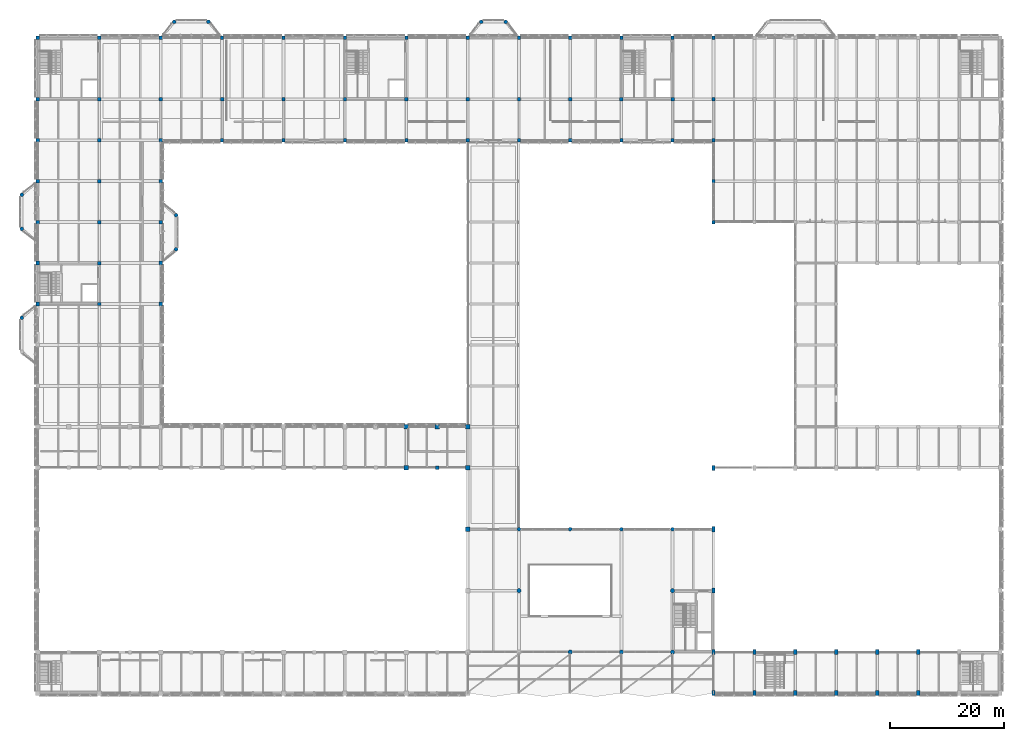
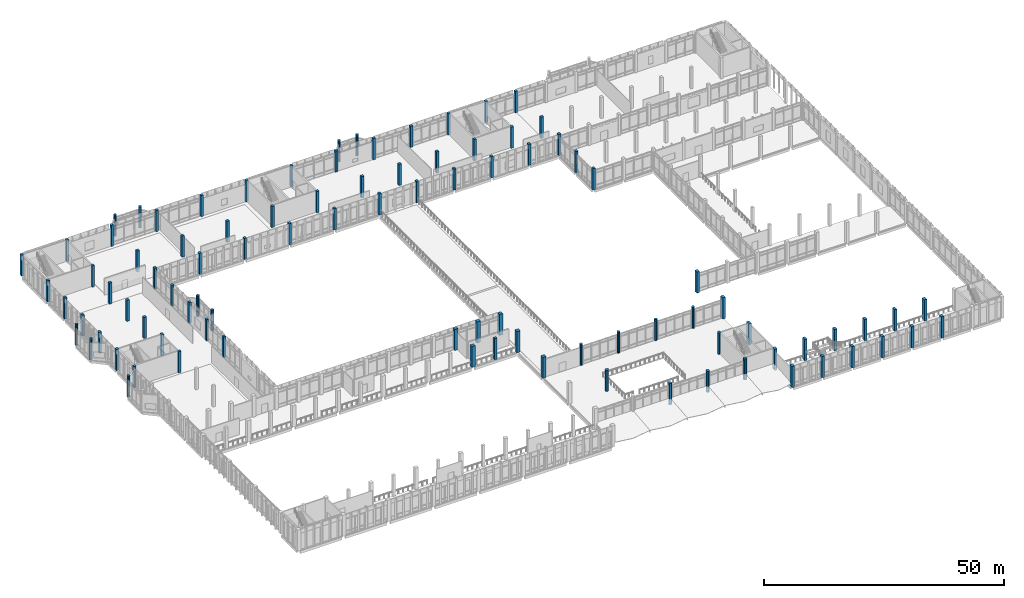
# One storey, part 6 of 180: 93 columns.
"""IFC4 building model written with IfcOpenShell, lengths in metres."""

from ifc_helpers import new_model, si_unit, direction, frame, origin, origin_2d, place, context, subcontext, project, spatial, rectangle, circle, extrude, material, material_profile, profile_set, type_object, element, save


model = new_model("IFC4")

# Units and contexts
model_context = context("Model", 3, precision=1e-05, world=origin(), true_north=direction((0.0, 1.0)))
body_context = subcontext(model_context, "Body", "Model", "MODEL_VIEW")
ifc_project = project(units=[si_unit("LENGTHUNIT", "METRE"), si_unit("AREAUNIT", "SQUARE_METRE"), si_unit("VOLUMEUNIT", "CUBIC_METRE"), si_unit("PLANEANGLEUNIT", "RADIAN"), si_unit("MASSUNIT", "GRAM", prefix="KILO")], contexts=[model_context])

# Site, building, storey
site_placement = place(None, origin())
site = spatial("IfcSite", under=ifc_project, at=site_placement, CompositionType="ELEMENT")
building_placement = place(site_placement, origin())
building = spatial("IfcBuilding", under=site, at=building_placement, Name="Lusvemor Sports Hall", CompositionType="ELEMENT")
storey_placement = place(building_placement, frame((0.0, 0.0, 5.39990234375)))
storey = spatial("IfcBuildingStorey", under=building, at=storey_placement, Name="L01", CompositionType="ELEMENT", Elevation=5.39990234375)

# Columns
ifc_material_1 = material(Name="Concrete C40/50", Category="concrete")
ifc_material_profile_1 = material_profile(ifc_material_1, circle(Radius=0.324951171875, at=origin_2d()), Name="RCCIRC650")
ifc_profile_set_1 = profile_set([ifc_material_profile_1], Name="Concrete C40/50")
column_type_1 = type_object("IfcColumnType", Name="COL_COLONNADE", PredefinedType="COLUMN", material=ifc_profile_set_1)
for number, where, z_axis, x_axis, name in (
    (1, (84.60009765625, 28.800048828125, 0.0), (0.0, 0.0, 1.0), (1.0, 0.0, 0.0), "Column 9/D (L01)"),
    (2, (93.60009765625, 28.800048828125, 0.0), (0.0, 0.0, 1.0), (1.0, 0.0, 0.0), "Column 10/D (L01)"),
    (3, (102.60009765625, 28.800048828125, 0.0), (0.0, 0.0, 1.0), (1.0, 0.0, 0.0), "Column 11/D (L01)"),
    (4, (111.60009765625, 28.800048828125, 0.0), (0.0, 0.0, 1.0), (1.0, 0.0, 0.0), "Column 12/D (L01)"),
    (5, (-2.800048828125, 66.0, 0.0), (0.0, 0.0, 1.0), (1.0, 0.0, 0.0), "Art Nouveau Bow Column BOW-W1-2 (L01)"),
    (6, (-2.800048828125, 81.60009765625, 0.0), (0.0, 0.0, 1.0), (1.0, 0.0, 0.0), "Art Nouveau Bow Column BOW-W2-1 (L01)"),
    (7, (-2.800048828125, 87.60009765625, 0.0), (0.0, 0.0, 1.0), (1.0, 0.0, 0.0), "Art Nouveau Bow Column BOW-W2-2 (L01)"),
    (8, (24.0, 118.0, 0.0), (0.0, 0.0, 1.0), (1.0, 0.0, 0.0), "Art Nouveau Bow Column BOW-N1-1 (L01)"),
    (9, (30.0, 118.0, 0.0), (0.0, 0.0, 1.0), (1.0, 0.0, 0.0), "Art Nouveau Bow Column BOW-N1-2 (L01)"),
    (10, (77.93994140625, 118.0, 0.0), (0.0, 0.0, 1.0), (1.0, 0.0, 0.0), "Art Nouveau Bow Column BOW-N2-1 (L01)"),
    (11, (82.260009765625, 118.0, 0.0), (0.0, 0.0, 1.0), (1.0, 0.0, 0.0), "Art Nouveau Bow Column BOW-N2-2 (L01)"),
    (12, (24.300048828125, 84.0, 0.0), (0.0, 0.0, 1.0), (1.0, 0.0, 0.0), "Art Nouveau Bow Column BOW-CT-1 (L01)"),
    (13, (24.300048828125, 78.0, 0.0), (0.0, 0.0, 1.0), (1.0, 0.0, 0.0), "Art Nouveau Bow Column BOW-CT-2 (L01)"),
):
    element("IfcColumn", number, at=place(storey_placement, frame(where, z_axis=z_axis, x_axis=x_axis)), inside=storey, type_object=column_type_1, Name=name, PredefinedType="COLUMN", context=body_context, shape_type="SweptSolid", body=[
        extrude(circle(Radius=0.324951171875, at=origin_2d()), origin(), (0.0, 0.0, 1.0), 5.400146484375),
    ])
ifc_material_2 = material(Name="Concrete C40/50", Category="concrete")
ifc_material_profile_2 = material_profile(ifc_material_2, circle(Radius=0.375, at=origin_2d()), Name="RCCIRC750")
ifc_profile_set_2 = profile_set([ifc_material_profile_2], Name="Concrete C40/50")
column_type_2 = type_object("IfcColumnType", Name="COL_FOYER_R", PredefinedType="COLUMN", material=ifc_profile_set_2)
for number, where, z_axis, x_axis, name in (
    (14, (84.60009765625, 18.0, 0.0), (0.0, 0.0, 1.0), (1.0, 0.0, 0.0), "Column 9/C (L01)"),
    (15, (93.60009765625, 7.199951171875, 0.0), (0.0, 0.0, 1.0), (1.0, 0.0, 0.0), "Column 10/B (L01)"),
    (16, (102.60009765625, 7.199951171875, 0.0), (0.0, 0.0, 1.0), (1.0, 0.0, 0.0), "Column 11/B (L01)"),
    (17, (111.60009765625, 7.199951171875, 0.0), (0.0, 0.0, 1.0), (1.0, 0.0, 0.0), "Column 12/B (L01)"),
    (18, (111.60009765625, 18.0, 0.0), (0.0, 0.0, 1.0), (1.0, 0.0, 0.0), "Column 12/C (L01)"),
):
    element("IfcColumn", number, at=place(storey_placement, frame(where, z_axis=z_axis, x_axis=x_axis)), inside=storey, type_object=column_type_2, Name=name, PredefinedType="COLUMN", context=body_context, shape_type="SweptSolid", body=[
        extrude(circle(Radius=0.375, at=origin_2d()), origin(), (0.0, 0.0, 1.0), 5.400146484375),
    ])
ifc_material_3 = material(Name="Concrete C40/50", Category="concrete")
ifc_material_profile_3 = material_profile(ifc_material_3, rectangle(XDim=0.800048828125, YDim=0.800048828125, at=origin_2d()), Name="RC800x800")
ifc_profile_set_3 = profile_set([ifc_material_profile_3], Name="Concrete C40/50")
column_type_3 = type_object("IfcColumnType", Name="COL_HALL_W", PredefinedType="COLUMN", material=ifc_profile_set_3)
for number, where, z_axis, x_axis, name in (
    (19, (64.800048828125, 39.60009765625, 0.0), (0.0, 0.0, 1.0), (1.0, 0.0, 0.0), "Column 7/E (L01)"),
    (20, (64.800048828125, 46.800048828125, 0.0), (0.0, 0.0, 1.0), (1.0, 0.0, 0.0), "Column 7/F (L01)"),
    (21, (75.60009765625, 28.800048828125, 0.0), (0.0, 0.0, 1.0), (1.0, 0.0, 0.0), "Column 8/D (L01)"),
    (22, (75.60009765625, 39.60009765625, 0.0), (0.0, 0.0, 1.0), (1.0, 0.0, 0.0), "Column 8/E (L01)"),
    (23, (75.60009765625, 46.800048828125, 0.0), (0.0, 0.0, 1.0), (1.0, 0.0, 0.0), "Column 8/F (L01)"),
    (24, (70.199951171875, 46.800048828125, 0.0), (0.0, 0.0, 1.0), (1.0, 0.0, 0.0), "Wave North Eave Column N7 (L01)"),
):
    element("IfcColumn", number, at=place(storey_placement, frame(where, z_axis=z_axis, x_axis=x_axis)), inside=storey, type_object=column_type_3, Name=name, PredefinedType="COLUMN", context=body_context, shape_type="SweptSolid", body=[
        extrude(rectangle(XDim=0.800048828125, YDim=0.800048828125, at=origin_2d()), origin(), (0.0, 0.0, 1.0), 5.400146484375),
    ])
ifc_material_4 = material(Name="Concrete C40/50", Category="concrete")
ifc_material_profile_4 = material_profile(ifc_material_4, rectangle(XDim=0.60009765625, YDim=0.89990234375, at=origin_2d()), Name="RC600x900")
ifc_profile_set_4 = profile_set([ifc_material_profile_4], Name="Concrete C40/50")
column_type_4 = type_object("IfcColumnType", Name="COL_STACK_E", PredefinedType="COLUMN", material=ifc_profile_set_4)
for number, where, z_axis, x_axis, name in (
    (25, (118.800048828125, 0.0, 0.0), (0.0, 0.0, 1.0), (1.0, 0.0, 0.0), "Column 13/A (L01)"),
    (26, (118.800048828125, 7.199951171875, 0.0), (0.0, 0.0, 1.0), (1.0, 0.0, 0.0), "Column 13/B (L01)"),
    (27, (118.800048828125, 18.0, 0.0), (0.0, 0.0, 1.0), (1.0, 0.0, 0.0), "Column 13/C (L01)"),
    (28, (118.800048828125, 28.800048828125, 0.0), (0.0, 0.0, 1.0), (1.0, 0.0, 0.0), "Column 13/D (L01)"),
    (29, (118.800048828125, 39.60009765625, 0.0), (0.0, 0.0, 1.0), (1.0, 0.0, 0.0), "Column 13/E (L01)"),
    (30, (126.0, 0.0, 0.0), (0.0, 0.0, 1.0), (1.0, 0.0, 0.0), "Column 14/A (L01)"),
    (31, (126.0, 7.199951171875, 0.0), (0.0, 0.0, 1.0), (1.0, 0.0, 0.0), "Column 14/B (L01)"),
    (32, (133.199951171875, 0.0, 0.0), (0.0, 0.0, 1.0), (1.0, 0.0, 0.0), "Column 15/A (L01)"),
    (33, (133.199951171875, 7.199951171875, 0.0), (0.0, 0.0, 1.0), (1.0, 0.0, 0.0), "Column 15/B (L01)"),
    (34, (140.39990234375, 0.0, 0.0), (0.0, 0.0, 1.0), (1.0, 0.0, 0.0), "Column 16/A (L01)"),
    (35, (140.39990234375, 7.199951171875, 0.0), (0.0, 0.0, 1.0), (1.0, 0.0, 0.0), "Column 16/B (L01)"),
    (36, (147.60009765625, 0.0, 0.0), (0.0, 0.0, 1.0), (1.0, 0.0, 0.0), "Column 17/A (L01)"),
    (37, (147.60009765625, 7.199951171875, 0.0), (0.0, 0.0, 1.0), (1.0, 0.0, 0.0), "Column 17/B (L01)"),
    (38, (154.800048828125, 0.0, 0.0), (0.0, 0.0, 1.0), (1.0, 0.0, 0.0), "Column 18/A (L01)"),
    (39, (154.800048828125, 7.199951171875, 0.0), (0.0, 0.0, 1.0), (1.0, 0.0, 0.0), "Column 18/B (L01)"),
):
    element("IfcColumn", number, at=place(storey_placement, frame(where, z_axis=z_axis, x_axis=x_axis)), inside=storey, type_object=column_type_4, Name=name, PredefinedType="COLUMN", context=body_context, shape_type="SweptSolid", body=[
        extrude(rectangle(XDim=0.60009765625, YDim=0.89990234375, at=origin_2d()), origin(), (0.0, 0.0, 1.0), 5.400146484375),
    ])
ifc_material_5 = material(Name="Concrete C40/50", Category="concrete")
ifc_material_profile_5 = material_profile(ifc_material_5, rectangle(XDim=0.56005859375, YDim=0.639892578125, at=origin_2d()), Name="RC560x640")
ifc_profile_set_5 = profile_set([ifc_material_profile_5], Name="Concrete C40/50")
column_type_5 = type_object("IfcColumnType", Name="COL_WING_E", PredefinedType="COLUMN", material=ifc_profile_set_5)
for number, where, z_axis, x_axis, name in (
    (40, (0.0, 68.39990234375, 0.0), (0.0, 0.0, 1.0), (1.0, 0.0, 0.0), "Column 1/J (L01)"),
    (41, (0.0, 75.60009765625, 0.0), (0.0, 0.0, 1.0), (1.0, 0.0, 0.0), "Column 1/K (L01)"),
    (42, (0.0, 82.800048828125, 0.0), (0.0, 0.0, 1.0), (1.0, 0.0, 0.0), "Column 1/L (L01)"),
    (43, (0.0, 90.0, 0.0), (0.0, 0.0, 1.0), (1.0, 0.0, 0.0), "Column 1/M (L01)"),
    (44, (0.0, 97.199951171875, 0.0), (0.0, 0.0, 1.0), (1.0, 0.0, 0.0), "Column 1/N (L01)"),
    (45, (0.0, 104.39990234375, 0.0), (0.0, 0.0, 1.0), (1.0, 0.0, 0.0), "Column 1/P (L01)"),
    (46, (0.0, 115.199951171875, 0.0), (0.0, 0.0, 1.0), (1.0, 0.0, 0.0), "Column 1/Q (L01)"),
    (47, (10.800048828125, 115.199951171875, 0.0), (0.0, 0.0, 1.0), (1.0, 0.0, 0.0), "Column 2/Q (L01)"),
    (48, (21.60009765625, 68.39990234375, 0.0), (0.0, 0.0, 1.0), (1.0, 0.0, 0.0), "Column 3/J (L01)"),
    (49, (21.60009765625, 75.60009765625, 0.0), (0.0, 0.0, 1.0), (1.0, 0.0, 0.0), "Column 3/K (L01)"),
    (50, (21.60009765625, 82.800048828125, 0.0), (0.0, 0.0, 1.0), (1.0, 0.0, 0.0), "Column 3/L (L01)"),
    (51, (21.60009765625, 90.0, 0.0), (0.0, 0.0, 1.0), (1.0, 0.0, 0.0), "Column 3/M (L01)"),
    (52, (21.60009765625, 97.199951171875, 0.0), (0.0, 0.0, 1.0), (1.0, 0.0, 0.0), "Column 3/N (L01)"),
    (53, (21.60009765625, 115.199951171875, 0.0), (0.0, 0.0, 1.0), (1.0, 0.0, 0.0), "Column 3/Q (L01)"),
    (54, (32.39990234375, 97.199951171875, 0.0), (0.0, 0.0, 1.0), (1.0, 0.0, 0.0), "Column 4/N (L01)"),
    (55, (32.39990234375, 115.199951171875, 0.0), (0.0, 0.0, 1.0), (1.0, 0.0, 0.0), "Column 4/Q (L01)"),
    (56, (43.199951171875, 97.199951171875, 0.0), (0.0, 0.0, 1.0), (1.0, 0.0, 0.0), "Column 5/N (L01)"),
    (57, (43.199951171875, 115.199951171875, 0.0), (0.0, 0.0, 1.0), (1.0, 0.0, 0.0), "Column 5/Q (L01)"),
    (58, (54.0, 97.199951171875, 0.0), (0.0, 0.0, 1.0), (1.0, 0.0, 0.0), "Column 6/N (L01)"),
    (59, (54.0, 115.199951171875, 0.0), (0.0, 0.0, 1.0), (1.0, 0.0, 0.0), "Column 6/Q (L01)"),
    (60, (64.800048828125, 97.199951171875, 0.0), (0.0, 0.0, 1.0), (1.0, 0.0, 0.0), "Column 7/N (L01)"),
    (61, (64.800048828125, 115.199951171875, 0.0), (0.0, 0.0, 1.0), (1.0, 0.0, 0.0), "Column 7/Q (L01)"),
    (62, (75.60009765625, 97.199951171875, 0.0), (0.0, 0.0, 1.0), (1.0, 0.0, 0.0), "Column 8/N (L01)"),
    (63, (75.60009765625, 115.199951171875, 0.0), (0.0, 0.0, 1.0), (1.0, 0.0, 0.0), "Column 8/Q (L01)"),
    (64, (84.60009765625, 97.199951171875, 0.0), (0.0, 0.0, 1.0), (1.0, 0.0, 0.0), "Column 9/N (L01)"),
    (65, (84.60009765625, 115.199951171875, 0.0), (0.0, 0.0, 1.0), (1.0, 0.0, 0.0), "Column 9/Q (L01)"),
    (66, (93.60009765625, 97.199951171875, 0.0), (0.0, 0.0, 1.0), (1.0, 0.0, 0.0), "Column 10/N (L01)"),
    (67, (93.60009765625, 115.199951171875, 0.0), (0.0, 0.0, 1.0), (1.0, 0.0, 0.0), "Column 10/Q (L01)"),
    (68, (102.60009765625, 97.199951171875, 0.0), (0.0, 0.0, 1.0), (1.0, 0.0, 0.0), "Column 11/N (L01)"),
    (69, (102.60009765625, 115.199951171875, 0.0), (0.0, 0.0, 1.0), (1.0, 0.0, 0.0), "Column 11/Q (L01)"),
    (70, (111.60009765625, 97.199951171875, 0.0), (0.0, 0.0, 1.0), (1.0, 0.0, 0.0), "Column 12/N (L01)"),
    (71, (111.60009765625, 115.199951171875, 0.0), (0.0, 0.0, 1.0), (1.0, 0.0, 0.0), "Column 12/Q (L01)"),
    (72, (118.800048828125, 82.800048828125, 0.0), (0.0, 0.0, 1.0), (1.0, 0.0, 0.0), "Column 13/L (L01)"),
    (73, (118.800048828125, 90.0, 0.0), (0.0, 0.0, 1.0), (1.0, 0.0, 0.0), "Column 13/M (L01)"),
    (74, (118.800048828125, 97.199951171875, 0.0), (0.0, 0.0, 1.0), (1.0, 0.0, 0.0), "Column 13/N (L01)"),
    (75, (118.800048828125, 115.199951171875, 0.0), (0.0, 0.0, 1.0), (1.0, 0.0, 0.0), "Column 13/Q (L01)"),
):
    element("IfcColumn", number, at=place(storey_placement, frame(where, z_axis=z_axis, x_axis=x_axis)), inside=storey, type_object=column_type_5, Name=name, PredefinedType="COLUMN", context=body_context, shape_type="SweptSolid", body=[
        extrude(rectangle(XDim=0.56005859375, YDim=0.639892578125, at=origin_2d()), origin(), (0.0, 0.0, 1.0), 5.400146484375),
    ])
ifc_material_6 = material(Name="Concrete C40/50", Category="concrete")
ifc_material_profile_6 = material_profile(ifc_material_6, rectangle(XDim=0.60009765625, YDim=0.60009765625, at=origin_2d()), Name="RC600x600")
ifc_profile_set_6 = profile_set([ifc_material_profile_6], Name="Concrete C40/50")
column_type_6 = type_object("IfcColumnType", Name="COL_WING_L", PredefinedType="COLUMN", material=ifc_profile_set_6)
for number, where, z_axis, x_axis, name in (
    (76, (10.800048828125, 68.39990234375, 0.0), (0.0, 0.0, 1.0), (1.0, 0.0, 0.0), "Column 2/J (L01)"),
    (77, (10.800048828125, 75.60009765625, 0.0), (0.0, 0.0, 1.0), (1.0, 0.0, 0.0), "Column 2/K (L01)"),
    (78, (10.800048828125, 82.800048828125, 0.0), (0.0, 0.0, 1.0), (1.0, 0.0, 0.0), "Column 2/L (L01)"),
    (79, (10.800048828125, 90.0, 0.0), (0.0, 0.0, 1.0), (1.0, 0.0, 0.0), "Column 2/M (L01)"),
    (80, (10.800048828125, 97.199951171875, 0.0), (0.0, 0.0, 1.0), (1.0, 0.0, 0.0), "Column 2/N (L01)"),
    (81, (10.800048828125, 104.39990234375, 0.0), (0.0, 0.0, 1.0), (1.0, 0.0, 0.0), "Column 2/P (L01)"),
    (82, (21.60009765625, 104.39990234375, 0.0), (0.0, 0.0, 1.0), (1.0, 0.0, 0.0), "Column 3/P (L01)"),
    (83, (32.39990234375, 104.39990234375, 0.0), (0.0, 0.0, 1.0), (1.0, 0.0, 0.0), "Column 4/P (L01)"),
    (84, (43.199951171875, 104.39990234375, 0.0), (0.0, 0.0, 1.0), (1.0, 0.0, 0.0), "Column 5/P (L01)"),
    (85, (54.0, 104.39990234375, 0.0), (0.0, 0.0, 1.0), (1.0, 0.0, 0.0), "Column 6/P (L01)"),
    (86, (64.800048828125, 104.39990234375, 0.0), (0.0, 0.0, 1.0), (1.0, 0.0, 0.0), "Column 7/P (L01)"),
    (87, (75.60009765625, 104.39990234375, 0.0), (0.0, 0.0, 1.0), (1.0, 0.0, 0.0), "Column 8/P (L01)"),
    (88, (84.60009765625, 104.39990234375, 0.0), (0.0, 0.0, 1.0), (1.0, 0.0, 0.0), "Column 9/P (L01)"),
    (89, (93.60009765625, 104.39990234375, 0.0), (0.0, 0.0, 1.0), (1.0, 0.0, 0.0), "Column 10/P (L01)"),
    (90, (102.60009765625, 104.39990234375, 0.0), (0.0, 0.0, 1.0), (1.0, 0.0, 0.0), "Column 11/P (L01)"),
    (91, (111.60009765625, 104.39990234375, 0.0), (0.0, 0.0, 1.0), (1.0, 0.0, 0.0), "Column 12/P (L01)"),
    (92, (118.800048828125, 104.39990234375, 0.0), (0.0, 0.0, 1.0), (1.0, 0.0, 0.0), "Column 13/P (L01)"),
    (93, (70.199951171875, 39.60009765625, 0.0), (0.0, 0.0, 1.0), (1.0, 0.0, 0.0), "Wave Mid-Bay Column N7 (L01)"),
):
    element("IfcColumn", number, at=place(storey_placement, frame(where, z_axis=z_axis, x_axis=x_axis)), inside=storey, type_object=column_type_6, Name=name, PredefinedType="COLUMN", context=body_context, shape_type="SweptSolid", body=[
        extrude(rectangle(XDim=0.60009765625, YDim=0.60009765625, at=origin_2d()), origin(), (0.0, 0.0, 1.0), 5.400146484375),
    ])

save(model, "model.ifc")
